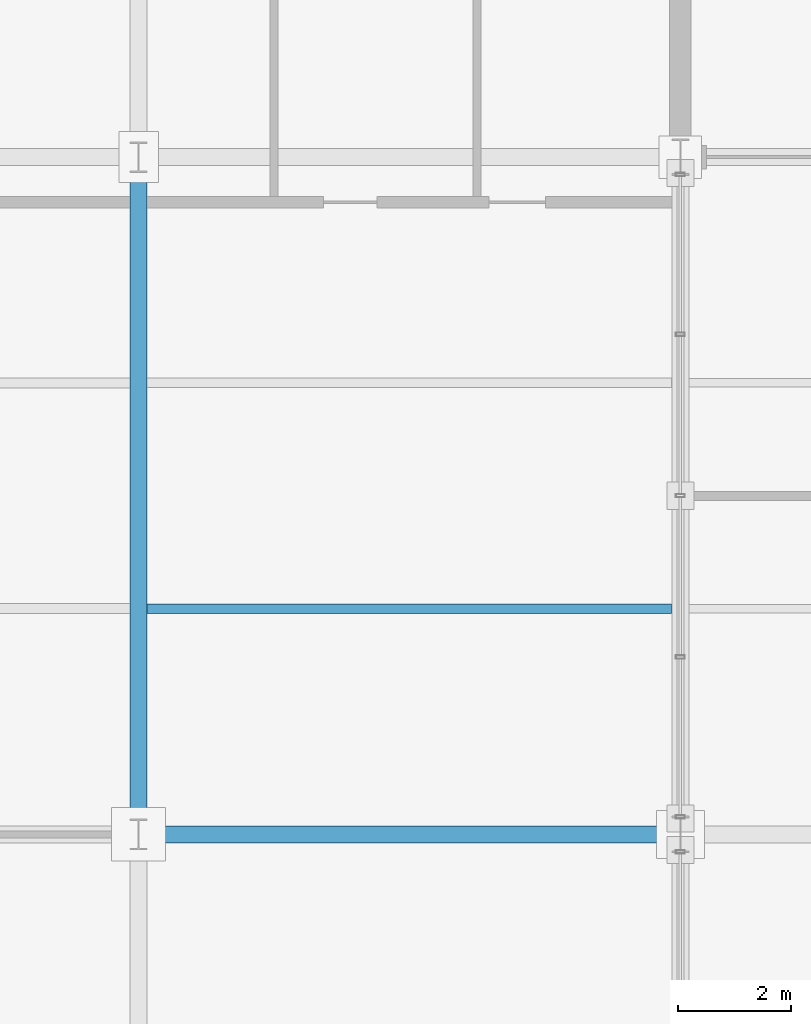
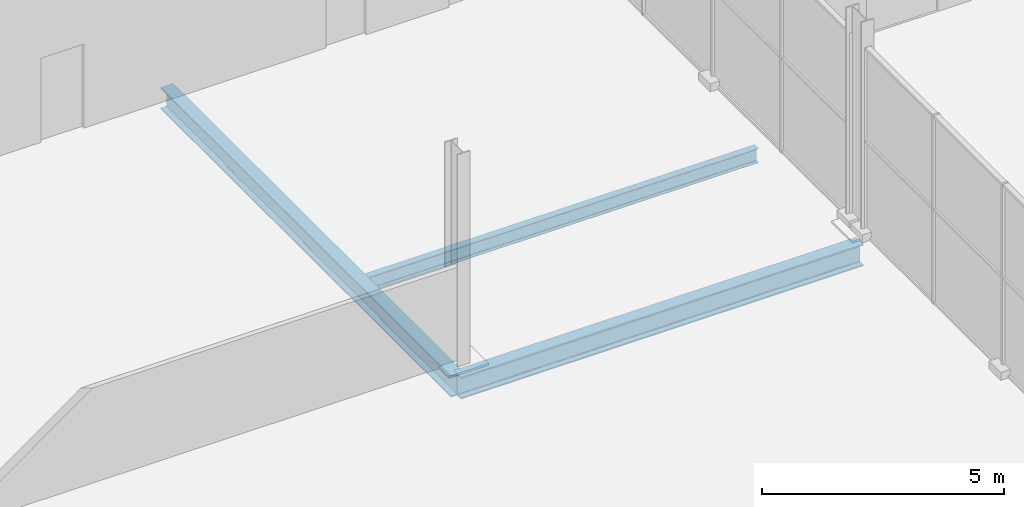
# One storey, part 98 of 196: 3 beams.
"""IFC4 building model written with IfcOpenShell, lengths in metres."""

from ifc_helpers import new_model, si_unit, direction, frame, origin, origin_2d, place, context, subcontext, project, spatial, i_section, extrude, material, material_profile, profile_set, type_object, element, save


model = new_model("IFC4")

# Units and contexts
model_context = context("Model", 3, precision=1e-05, world=origin(), true_north=direction((0.0, 1.0)))
body_context = subcontext(model_context, "Body", "Model", "MODEL_VIEW")
ifc_project = project(units=[si_unit("LENGTHUNIT", "METRE"), si_unit("AREAUNIT", "SQUARE_METRE"), si_unit("VOLUMEUNIT", "CUBIC_METRE"), si_unit("PLANEANGLEUNIT", "RADIAN"), si_unit("MASSUNIT", "GRAM", prefix="KILO")], contexts=[model_context])

# Site, building, storey
site_placement = place(None, origin())
site = spatial("IfcSite", under=ifc_project, at=site_placement, CompositionType="ELEMENT")
building_placement = place(site_placement, origin())
building = spatial("IfcBuilding", under=site, at=building_placement, Name="Merenkruunu Market Hall", CompositionType="ELEMENT")
storey_placement = place(building_placement, origin())
storey = spatial("IfcBuildingStorey", under=building, at=storey_placement, Name="L00", CompositionType="ELEMENT", Elevation=0.0)

# Beams
ifc_material = material(Name="Steel S355J2", Category="steel")
ifc_material_profile_1 = material_profile(ifc_material, i_section(OverallWidth=0.300048828125, OverallDepth=0.550048828125, WebThickness=0.014892578125, FlangeThickness=0.029052734375, FilletRadius=0.027099609375, at=origin_2d()), Name="HEB 550")
ifc_profile_set_1 = profile_set([ifc_material_profile_1], Name="Steel S355J2")
beam_type_1 = type_object("IfcBeamType", Name="Primary Floor Girder B02", PredefinedType="BEAM", material=ifc_profile_set_1)
beam_1_placement = place(storey_placement, frame((48.0, 87.60009765625, -0.614990234375), z_axis=(1.0, 0.0, 0.0), x_axis=(0.0, 1.0, 0.0)))
element("IfcBeam", 1, at=beam_1_placement, inside=storey, type_object=beam_type_1, Name="BM-L00-B02-0111", PredefinedType="BEAM", context=body_context, shape_type="SweptSolid", body=[
    extrude(i_section(OverallWidth=0.300048828125, OverallDepth=0.550048828125, WebThickness=0.014892578125, FlangeThickness=0.029052734375, FilletRadius=0.027099609375, at=origin_2d()), origin(), (0.0, 0.0, 1.0), 9.60009765625),
])
ifc_material_profile_2 = material_profile(ifc_material, i_section(OverallWidth=0.300048828125, OverallDepth=0.5400390625, WebThickness=0.012451171875, FlangeThickness=0.02392578125, FilletRadius=0.027099609375, at=origin_2d()), Name="HEA 550")
ifc_profile_set_2 = profile_set([ifc_material_profile_2], Name="Steel S355J2")
beam_type_2 = type_object("IfcBeamType", Name="Primary Floor Girder B06", PredefinedType="BEAM", material=ifc_profile_set_2)
beam_2_placement = place(storey_placement, frame((48.0, 87.60009765625, -0.610107421875), z_axis=(0.0, 1.0, 0.0), x_axis=(-1.0, 0.0, 0.0)))
element("IfcBeam", 2, at=beam_2_placement, inside=storey, type_object=beam_type_2, Name="BM-L00-B06-0183", PredefinedType="BEAM", context=body_context, shape_type="SweptSolid", body=[
    extrude(i_section(OverallWidth=0.300048828125, OverallDepth=0.5400390625, WebThickness=0.012451171875, FlangeThickness=0.02392578125, FilletRadius=0.027099609375, at=origin_2d()), origin(), (0.0, 0.0, 1.0), 12.0),
])
ifc_material_profile_3 = material_profile(ifc_material, i_section(OverallWidth=0.169921875, OverallDepth=0.360107421875, WebThickness=0.008056640625, FlangeThickness=0.0126953125, FilletRadius=0.01806640625, at=origin_2d()), Name="IPE 360")
ifc_profile_set_3 = profile_set([ifc_material_profile_3], Name="Steel S355J2")
beam_type_3 = type_object("IfcBeamType", Name="Secondary Floor Joist J03", PredefinedType="JOIST", material=ifc_profile_set_3)
beam_3_placement = place(storey_placement, frame((48.153076171875, 91.60009765625, -0.52001953125), z_axis=(1.0, 0.0, 0.0), x_axis=(0.0, 1.0, 0.0)))
element("IfcBeam", 3, at=beam_3_placement, inside=storey, type_object=beam_type_3, Name="BM-L00-J03-0342", PredefinedType="JOIST", context=body_context, shape_type="SweptSolid", body=[
    extrude(i_section(OverallWidth=0.169921875, OverallDepth=0.360107421875, WebThickness=0.008056640625, FlangeThickness=0.0126953125, FilletRadius=0.01806640625, at=origin_2d()), origin(), (0.0, 0.0, 1.0), 9.2939453125),
])

save(model, "model.ifc")
